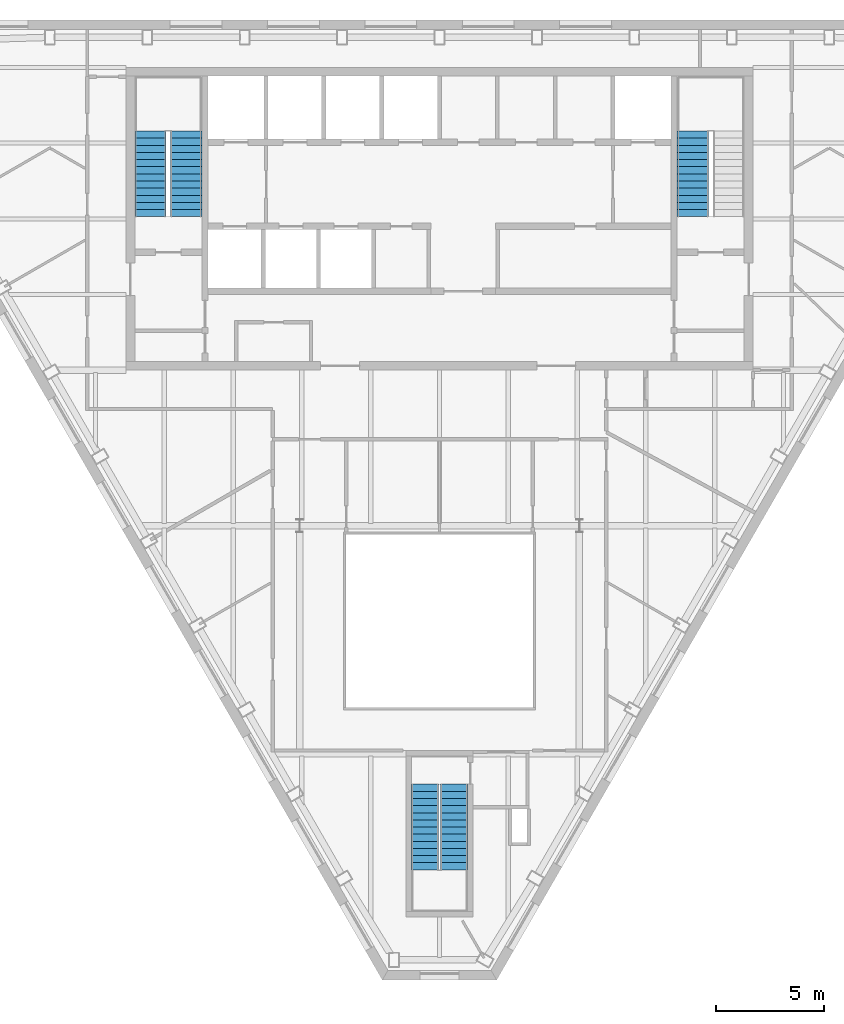
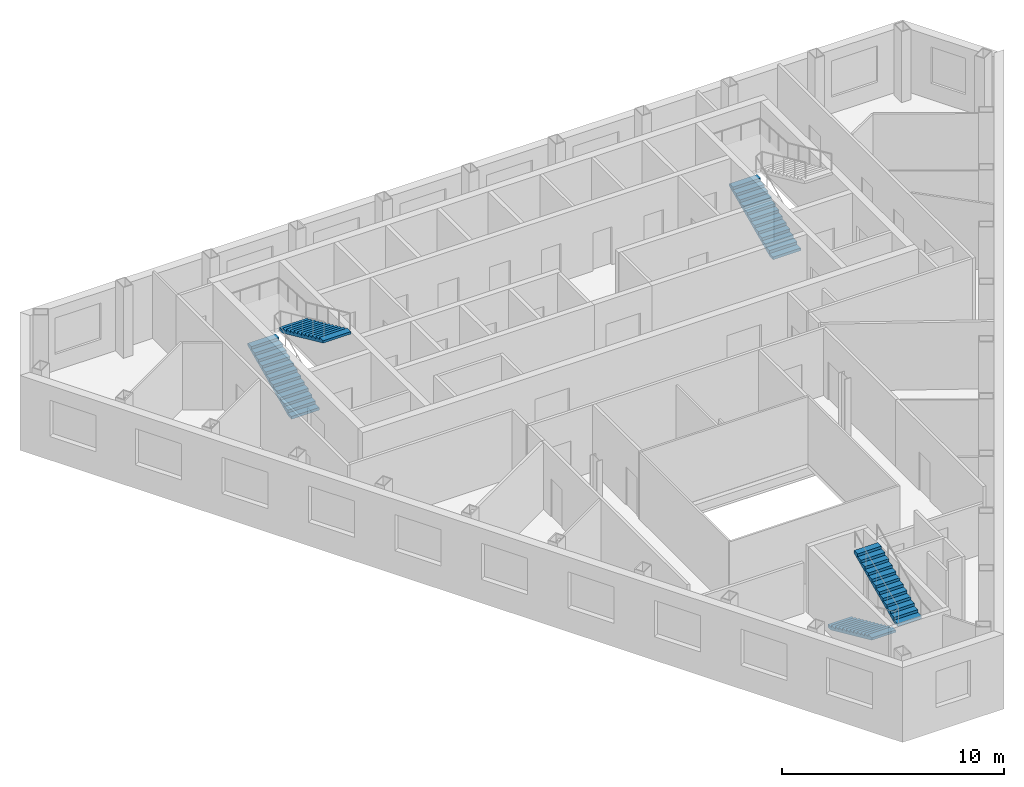
# One storey, part 8 of 10: 5 stair flights, 3 elements without a shape of their own.
"""IFC4 building model written with IfcOpenShell, lengths in metres."""

from ifc_helpers import new_model, si_unit, direction, frame, origin, place, context, subcontext, project, spatial, polygons, material, type_object, element, aggregate, save


model = new_model("IFC4")

# Units and contexts
model_context = context("Model", 3, precision=1e-05, world=origin(), true_north=direction((0.0, 1.0)))
body_context = subcontext(model_context, "Body", "Model", "MODEL_VIEW")
ifc_project = project(units=[si_unit("LENGTHUNIT", "METRE"), si_unit("AREAUNIT", "SQUARE_METRE"), si_unit("VOLUMEUNIT", "CUBIC_METRE"), si_unit("PLANEANGLEUNIT", "RADIAN"), si_unit("MASSUNIT", "GRAM", prefix="KILO")], contexts=[model_context])

# Site, building, storey
site_placement = place(None, origin())
site = spatial("IfcSite", under=ifc_project, at=site_placement, CompositionType="ELEMENT")
building_placement = place(site_placement, origin())
building = spatial("IfcBuilding", under=site, at=building_placement, Name="Njiva Tower", CompositionType="ELEMENT")
storey_placement = place(building_placement, frame((0.0, 0.0, 288.3)))
storey = spatial("IfcBuildingStorey", under=building, at=storey_placement, Name="L66", CompositionType="ELEMENT", Elevation=288.3)

# Stair, stair flights
ifc_material = material(Name="Concrete C40/50", Category="concrete")
stair_type_1 = type_object("IfcStairType", Name="ST1 Exit stair 1250", PredefinedType="HALF_TURN_STAIR", material=ifc_material)
stair_1_placement = place(storey_placement, origin())
stair_1 = element("IfcStair", 1, at=stair_1_placement, inside=storey, type_object=stair_type_1, Name="Stair C", PredefinedType="HALF_TURN_STAIR")
stair_flight_type_1 = type_object("IfcStairFlightType", Name="FL1 Stair flight 1250", PredefinedType="STRAIGHT", material=ifc_material)
stair_flight_1_placement = place(storey_placement, frame((-0.675, -15.16, 0.0), z_axis=(0.0, 0.0, 1.0), x_axis=(0.0, -1.0, 0.0)))
stair_flight_1 = element("IfcStairFlight", 2, at=stair_flight_1_placement, type_object=stair_flight_type_1, Name="ST-C flight 1", NumberOfRisers=13, NumberOfTreads=12, PredefinedType="STRAIGHT", RiserHeight=0.15, TreadLength=0.33, context=body_context, shape_type="Tessellation", body=[
    polygons([(0.0, 0.625, 0.0), (0.0, 0.3125, 0.0), (0.0, 0.0, 0.0), (0.0, -0.3125, 0.0), (0.0, -0.625, 0.0), (0.0, 0.625, 0.15), (0.0, 0.3125, 0.15), (0.0, 0.0, 0.15), (0.0, -0.3125, 0.15), (0.0, -0.625, 0.15), (0.33, 0.625, 0.15), (0.33, 0.3125, 0.15), (0.33, 0.0, 0.15), (0.33, -0.3125, 0.15), (0.33, -0.625, 0.15), (0.33, 0.625, 0.3), (0.33, 0.3125, 0.3), (0.33, 0.0, 0.3), (0.33, -0.3125, 0.3), (0.33, -0.625, 0.3), (0.66, 0.625, 0.3), (0.66, 0.3125, 0.3), (0.66, 0.0, 0.3), (0.66, -0.3125, 0.3), (0.66, -0.625, 0.3), (0.66, 0.625, 0.45), (0.66, 0.3125, 0.45), (0.66, 0.0, 0.45), (0.66, -0.3125, 0.45), (0.66, -0.625, 0.45), (0.99, 0.625, 0.45), (0.99, 0.3125, 0.45), (0.99, 0.0, 0.45), (0.99, -0.3125, 0.45), (0.99, -0.625, 0.45), (0.99, 0.625, 0.6), (0.99, 0.3125, 0.6), (0.99, 0.0, 0.6), (0.99, -0.3125, 0.6), (0.99, -0.625, 0.6), (1.32, 0.625, 0.6), (1.32, 0.3125, 0.6), (1.32, 0.0, 0.6), (1.32, -0.3125, 0.6), (1.32, -0.625, 0.6), (1.32, 0.625, 0.75), (1.32, 0.3125, 0.75), (1.32, 0.0, 0.75), (1.32, -0.3125, 0.75), (1.32, -0.625, 0.75), (1.65, 0.625, 0.75), (1.65, 0.3125, 0.75), (1.65, 0.0, 0.75), (1.65, -0.3125, 0.75), (1.65, -0.625, 0.75), (1.65, 0.625, 0.9), (1.65, 0.3125, 0.9), (1.65, 0.0, 0.9), (1.65, -0.3125, 0.9), (1.65, -0.625, 0.9), (1.98, 0.625, 0.9), (1.98, 0.3125, 0.9), (1.98, 0.0, 0.9), (1.98, -0.3125, 0.9), (1.98, -0.625, 0.9), (1.98, 0.625, 1.05), (1.98, 0.3125, 1.05), (1.98, 0.0, 1.05), (1.98, -0.3125, 1.05), (1.98, -0.625, 1.05), (2.31, 0.625, 1.05), (2.31, 0.3125, 1.05), (2.31, 0.0, 1.05), (2.31, -0.3125, 1.05), (2.31, -0.625, 1.05), (2.31, 0.625, 1.2), (2.31, 0.3125, 1.2), (2.31, 0.0, 1.2), (2.31, -0.3125, 1.2), (2.31, -0.625, 1.2), (2.64, 0.625, 1.2), (2.64, 0.3125, 1.2), (2.64, 0.0, 1.2), (2.64, -0.3125, 1.2), (2.64, -0.625, 1.2), (2.64, 0.625, 1.35), (2.64, 0.3125, 1.35), (2.64, 0.0, 1.35), (2.64, -0.3125, 1.35), (2.64, -0.625, 1.35), (2.97, 0.625, 1.35), (2.97, 0.3125, 1.35), (2.97, 0.0, 1.35), (2.97, -0.3125, 1.35), (2.97, -0.625, 1.35), (2.97, 0.625, 1.5), (2.97, 0.3125, 1.5), (2.97, 0.0, 1.5), (2.97, -0.3125, 1.5), (2.97, -0.625, 1.5), (3.3, 0.625, 1.5), (3.3, 0.3125, 1.5), (3.3, 0.0, 1.5), (3.3, -0.3125, 1.5), (3.3, -0.625, 1.5), (3.3, 0.625, 1.65), (3.3, 0.3125, 1.65), (3.3, 0.0, 1.65), (3.3, -0.3125, 1.65), (3.3, -0.625, 1.65), (3.63, 0.625, 1.65), (3.63, 0.3125, 1.65), (3.63, 0.0, 1.65), (3.63, -0.3125, 1.65), (3.63, -0.625, 1.65), (3.63, 0.625, 1.8), (3.63, 0.3125, 1.8), (3.63, 0.0, 1.8), (3.63, -0.3125, 1.8), (3.63, -0.625, 1.8), (3.96, 0.625, 1.8), (3.96, 0.3125, 1.8), (3.96, 0.0, 1.8), (3.96, -0.3125, 1.8), (3.96, -0.625, 1.8), (3.96, 0.625, 1.6682), (3.96, 0.3125, 1.6682), (3.96, 0.0, 1.6682), (3.96, -0.3125, 1.6682), (3.96, -0.625, 1.6682), (0.29, 0.625, 0.0), (0.29, 0.3125, 0.0), (0.29, 0.0, 0.0), (0.29, -0.3125, 0.0), (0.29, -0.625, 0.0)], [[[1, 6, 11, 16, 21, 26, 31, 36, 41, 46, 51, 56, 61, 66, 71, 76, 81, 86, 91, 96, 101, 106, 111, 116, 121, 126, 131]], [[135, 130, 125, 120, 115, 110, 105, 100, 95, 90, 85, 80, 75, 70, 65, 60, 55, 50, 45, 40, 35, 30, 25, 20, 15, 10, 5]], [[6, 1, 2, 7]], [[7, 2, 3, 8]], [[8, 3, 4, 9]], [[9, 4, 5, 10]], [[11, 6, 7, 12]], [[12, 7, 8, 13]], [[13, 8, 9, 14]], [[14, 9, 10, 15]], [[16, 11, 12, 17]], [[17, 12, 13, 18]], [[18, 13, 14, 19]], [[19, 14, 15, 20]], [[21, 16, 17, 22]], [[22, 17, 18, 23]], [[23, 18, 19, 24]], [[24, 19, 20, 25]], [[26, 21, 22, 27]], [[27, 22, 23, 28]], [[28, 23, 24, 29]], [[29, 24, 25, 30]], [[31, 26, 27, 32]], [[32, 27, 28, 33]], [[33, 28, 29, 34]], [[34, 29, 30, 35]], [[36, 31, 32, 37]], [[37, 32, 33, 38]], [[38, 33, 34, 39]], [[39, 34, 35, 40]], [[41, 36, 37, 42]], [[42, 37, 38, 43]], [[43, 38, 39, 44]], [[44, 39, 40, 45]], [[46, 41, 42, 47]], [[47, 42, 43, 48]], [[48, 43, 44, 49]], [[49, 44, 45, 50]], [[51, 46, 47, 52]], [[52, 47, 48, 53]], [[53, 48, 49, 54]], [[54, 49, 50, 55]], [[56, 51, 52, 57]], [[57, 52, 53, 58]], [[58, 53, 54, 59]], [[59, 54, 55, 60]], [[61, 56, 57, 62]], [[62, 57, 58, 63]], [[63, 58, 59, 64]], [[64, 59, 60, 65]], [[66, 61, 62, 67]], [[67, 62, 63, 68]], [[68, 63, 64, 69]], [[69, 64, 65, 70]], [[71, 66, 67, 72]], [[72, 67, 68, 73]], [[73, 68, 69, 74]], [[74, 69, 70, 75]], [[76, 71, 72, 77]], [[77, 72, 73, 78]], [[78, 73, 74, 79]], [[79, 74, 75, 80]], [[81, 76, 77, 82]], [[82, 77, 78, 83]], [[83, 78, 79, 84]], [[84, 79, 80, 85]], [[86, 81, 82, 87]], [[87, 82, 83, 88]], [[88, 83, 84, 89]], [[89, 84, 85, 90]], [[91, 86, 87, 92]], [[92, 87, 88, 93]], [[93, 88, 89, 94]], [[94, 89, 90, 95]], [[96, 91, 92, 97]], [[97, 92, 93, 98]], [[98, 93, 94, 99]], [[99, 94, 95, 100]], [[101, 96, 97, 102]], [[102, 97, 98, 103]], [[103, 98, 99, 104]], [[104, 99, 100, 105]], [[106, 101, 102, 107]], [[107, 102, 103, 108]], [[108, 103, 104, 109]], [[109, 104, 105, 110]], [[111, 106, 107, 112]], [[112, 107, 108, 113]], [[113, 108, 109, 114]], [[114, 109, 110, 115]], [[116, 111, 112, 117]], [[117, 112, 113, 118]], [[118, 113, 114, 119]], [[119, 114, 115, 120]], [[121, 116, 117, 122]], [[122, 117, 118, 123]], [[123, 118, 119, 124]], [[124, 119, 120, 125]], [[126, 121, 122, 127]], [[127, 122, 123, 128]], [[128, 123, 124, 129]], [[129, 124, 125, 130]], [[131, 126, 127, 132]], [[132, 127, 128, 133]], [[133, 128, 129, 134]], [[134, 129, 130, 135]], [[1, 131, 132, 2]], [[2, 132, 133, 3]], [[3, 133, 134, 4]], [[4, 134, 135, 5]]], closed=True),
])
stair_flight_2_placement = place(storey_placement, frame((0.675, -19.12, 1.95), z_axis=(0.0, 0.0, 1.0), x_axis=(0.0, 1.0, 0.0)))
stair_flight_2 = element("IfcStairFlight", 3, at=stair_flight_2_placement, type_object=stair_flight_type_1, Name="ST-C flight 2", NumberOfRisers=13, NumberOfTreads=12, PredefinedType="STRAIGHT", RiserHeight=0.15, TreadLength=0.33, context=body_context, shape_type="Tessellation", body=[
    polygons([(0.0, 0.625, 0.0), (0.0, 0.3125, 0.0), (0.0, 0.0, 0.0), (0.0, -0.3125, 0.0), (0.0, -0.625, 0.0), (0.0, 0.625, 0.15), (0.0, 0.3125, 0.15), (0.0, 0.0, 0.15), (0.0, -0.3125, 0.15), (0.0, -0.625, 0.15), (0.33, 0.625, 0.15), (0.33, 0.3125, 0.15), (0.33, 0.0, 0.15), (0.33, -0.3125, 0.15), (0.33, -0.625, 0.15), (0.33, 0.625, 0.3), (0.33, 0.3125, 0.3), (0.33, 0.0, 0.3), (0.33, -0.3125, 0.3), (0.33, -0.625, 0.3), (0.66, 0.625, 0.3), (0.66, 0.3125, 0.3), (0.66, 0.0, 0.3), (0.66, -0.3125, 0.3), (0.66, -0.625, 0.3), (0.66, 0.625, 0.45), (0.66, 0.3125, 0.45), (0.66, 0.0, 0.45), (0.66, -0.3125, 0.45), (0.66, -0.625, 0.45), (0.99, 0.625, 0.45), (0.99, 0.3125, 0.45), (0.99, 0.0, 0.45), (0.99, -0.3125, 0.45), (0.99, -0.625, 0.45), (0.99, 0.625, 0.6), (0.99, 0.3125, 0.6), (0.99, 0.0, 0.6), (0.99, -0.3125, 0.6), (0.99, -0.625, 0.6), (1.32, 0.625, 0.6), (1.32, 0.3125, 0.6), (1.32, 0.0, 0.6), (1.32, -0.3125, 0.6), (1.32, -0.625, 0.6), (1.32, 0.625, 0.75), (1.32, 0.3125, 0.75), (1.32, 0.0, 0.75), (1.32, -0.3125, 0.75), (1.32, -0.625, 0.75), (1.65, 0.625, 0.75), (1.65, 0.3125, 0.75), (1.65, 0.0, 0.75), (1.65, -0.3125, 0.75), (1.65, -0.625, 0.75), (1.65, 0.625, 0.9), (1.65, 0.3125, 0.9), (1.65, 0.0, 0.9), (1.65, -0.3125, 0.9), (1.65, -0.625, 0.9), (1.98, 0.625, 0.9), (1.98, 0.3125, 0.9), (1.98, 0.0, 0.9), (1.98, -0.3125, 0.9), (1.98, -0.625, 0.9), (1.98, 0.625, 1.05), (1.98, 0.3125, 1.05), (1.98, 0.0, 1.05), (1.98, -0.3125, 1.05), (1.98, -0.625, 1.05), (2.31, 0.625, 1.05), (2.31, 0.3125, 1.05), (2.31, 0.0, 1.05), (2.31, -0.3125, 1.05), (2.31, -0.625, 1.05), (2.31, 0.625, 1.2), (2.31, 0.3125, 1.2), (2.31, 0.0, 1.2), (2.31, -0.3125, 1.2), (2.31, -0.625, 1.2), (2.64, 0.625, 1.2), (2.64, 0.3125, 1.2), (2.64, 0.0, 1.2), (2.64, -0.3125, 1.2), (2.64, -0.625, 1.2), (2.64, 0.625, 1.35), (2.64, 0.3125, 1.35), (2.64, 0.0, 1.35), (2.64, -0.3125, 1.35), (2.64, -0.625, 1.35), (2.97, 0.625, 1.35), (2.97, 0.3125, 1.35), (2.97, 0.0, 1.35), (2.97, -0.3125, 1.35), (2.97, -0.625, 1.35), (2.97, 0.625, 1.5), (2.97, 0.3125, 1.5), (2.97, 0.0, 1.5), (2.97, -0.3125, 1.5), (2.97, -0.625, 1.5), (3.3, 0.625, 1.5), (3.3, 0.3125, 1.5), (3.3, 0.0, 1.5), (3.3, -0.3125, 1.5), (3.3, -0.625, 1.5), (3.3, 0.625, 1.65), (3.3, 0.3125, 1.65), (3.3, 0.0, 1.65), (3.3, -0.3125, 1.65), (3.3, -0.625, 1.65), (3.63, 0.625, 1.65), (3.63, 0.3125, 1.65), (3.63, 0.0, 1.65), (3.63, -0.3125, 1.65), (3.63, -0.625, 1.65), (3.63, 0.625, 1.8), (3.63, 0.3125, 1.8), (3.63, 0.0, 1.8), (3.63, -0.3125, 1.8), (3.63, -0.625, 1.8), (3.96, 0.625, 1.8), (3.96, 0.3125, 1.8), (3.96, 0.0, 1.8), (3.96, -0.3125, 1.8), (3.96, -0.625, 1.8), (3.96, 0.625, 1.6682), (3.96, 0.3125, 1.6682), (3.96, 0.0, 1.6682), (3.96, -0.3125, 1.6682), (3.96, -0.625, 1.6682), (0.29, 0.625, 0.0), (0.29, 0.3125, 0.0), (0.29, 0.0, 0.0), (0.29, -0.3125, 0.0), (0.29, -0.625, 0.0)], [[[1, 6, 11, 16, 21, 26, 31, 36, 41, 46, 51, 56, 61, 66, 71, 76, 81, 86, 91, 96, 101, 106, 111, 116, 121, 126, 131]], [[135, 130, 125, 120, 115, 110, 105, 100, 95, 90, 85, 80, 75, 70, 65, 60, 55, 50, 45, 40, 35, 30, 25, 20, 15, 10, 5]], [[6, 1, 2, 7]], [[7, 2, 3, 8]], [[8, 3, 4, 9]], [[9, 4, 5, 10]], [[11, 6, 7, 12]], [[12, 7, 8, 13]], [[13, 8, 9, 14]], [[14, 9, 10, 15]], [[16, 11, 12, 17]], [[17, 12, 13, 18]], [[18, 13, 14, 19]], [[19, 14, 15, 20]], [[21, 16, 17, 22]], [[22, 17, 18, 23]], [[23, 18, 19, 24]], [[24, 19, 20, 25]], [[26, 21, 22, 27]], [[27, 22, 23, 28]], [[28, 23, 24, 29]], [[29, 24, 25, 30]], [[31, 26, 27, 32]], [[32, 27, 28, 33]], [[33, 28, 29, 34]], [[34, 29, 30, 35]], [[36, 31, 32, 37]], [[37, 32, 33, 38]], [[38, 33, 34, 39]], [[39, 34, 35, 40]], [[41, 36, 37, 42]], [[42, 37, 38, 43]], [[43, 38, 39, 44]], [[44, 39, 40, 45]], [[46, 41, 42, 47]], [[47, 42, 43, 48]], [[48, 43, 44, 49]], [[49, 44, 45, 50]], [[51, 46, 47, 52]], [[52, 47, 48, 53]], [[53, 48, 49, 54]], [[54, 49, 50, 55]], [[56, 51, 52, 57]], [[57, 52, 53, 58]], [[58, 53, 54, 59]], [[59, 54, 55, 60]], [[61, 56, 57, 62]], [[62, 57, 58, 63]], [[63, 58, 59, 64]], [[64, 59, 60, 65]], [[66, 61, 62, 67]], [[67, 62, 63, 68]], [[68, 63, 64, 69]], [[69, 64, 65, 70]], [[71, 66, 67, 72]], [[72, 67, 68, 73]], [[73, 68, 69, 74]], [[74, 69, 70, 75]], [[76, 71, 72, 77]], [[77, 72, 73, 78]], [[78, 73, 74, 79]], [[79, 74, 75, 80]], [[81, 76, 77, 82]], [[82, 77, 78, 83]], [[83, 78, 79, 84]], [[84, 79, 80, 85]], [[86, 81, 82, 87]], [[87, 82, 83, 88]], [[88, 83, 84, 89]], [[89, 84, 85, 90]], [[91, 86, 87, 92]], [[92, 87, 88, 93]], [[93, 88, 89, 94]], [[94, 89, 90, 95]], [[96, 91, 92, 97]], [[97, 92, 93, 98]], [[98, 93, 94, 99]], [[99, 94, 95, 100]], [[101, 96, 97, 102]], [[102, 97, 98, 103]], [[103, 98, 99, 104]], [[104, 99, 100, 105]], [[106, 101, 102, 107]], [[107, 102, 103, 108]], [[108, 103, 104, 109]], [[109, 104, 105, 110]], [[111, 106, 107, 112]], [[112, 107, 108, 113]], [[113, 108, 109, 114]], [[114, 109, 110, 115]], [[116, 111, 112, 117]], [[117, 112, 113, 118]], [[118, 113, 114, 119]], [[119, 114, 115, 120]], [[121, 116, 117, 122]], [[122, 117, 118, 123]], [[123, 118, 119, 124]], [[124, 119, 120, 125]], [[126, 121, 122, 127]], [[127, 122, 123, 128]], [[128, 123, 124, 129]], [[129, 124, 125, 130]], [[131, 126, 127, 132]], [[132, 127, 128, 133]], [[133, 128, 129, 134]], [[134, 129, 130, 135]], [[1, 131, 132, 2]], [[2, 132, 133, 3]], [[3, 133, 134, 4]], [[4, 134, 135, 5]]], closed=True),
])
aggregate(stair_1, [stair_flight_1, stair_flight_2])

stair_type_2 = type_object("IfcStairType", Name="ST3 Exit stair 1450", PredefinedType="HALF_TURN_STAIR", material=ifc_material)
stair_2_placement = place(storey_placement, origin())
stair_2 = element("IfcStair", 4, at=stair_2_placement, inside=storey, type_object=stair_type_2, Name="Stair A", PredefinedType="HALF_TURN_STAIR")
stair_flight_type_2 = type_object("IfcStairFlightType", Name="FL3 Stair flight 1450", PredefinedType="STRAIGHT", material=ifc_material)
stair_flight_3_placement = place(storey_placement, frame((-13.375, 11.1, 0.0), z_axis=(0.0, 0.0, 1.0), x_axis=(0.0, 1.0, 0.0)))
stair_flight_3 = element("IfcStairFlight", 5, at=stair_flight_3_placement, type_object=stair_flight_type_2, Name="ST-A flight 1", NumberOfRisers=13, NumberOfTreads=12, PredefinedType="STRAIGHT", RiserHeight=0.15, TreadLength=0.33, context=body_context, shape_type="Tessellation", body=[
    polygons([(0.0, 0.725, 0.0), (0.0, 0.3625, 0.0), (0.0, 0.0, 0.0), (0.0, -0.3625, 0.0), (0.0, -0.725, 0.0), (0.0, 0.725, 0.15), (0.0, 0.3625, 0.15), (0.0, 0.0, 0.15), (0.0, -0.3625, 0.15), (0.0, -0.725, 0.15), (0.33, 0.725, 0.15), (0.33, 0.3625, 0.15), (0.33, 0.0, 0.15), (0.33, -0.3625, 0.15), (0.33, -0.725, 0.15), (0.33, 0.725, 0.3), (0.33, 0.3625, 0.3), (0.33, 0.0, 0.3), (0.33, -0.3625, 0.3), (0.33, -0.725, 0.3), (0.66, 0.725, 0.3), (0.66, 0.3625, 0.3), (0.66, 0.0, 0.3), (0.66, -0.3625, 0.3), (0.66, -0.725, 0.3), (0.66, 0.725, 0.45), (0.66, 0.3625, 0.45), (0.66, 0.0, 0.45), (0.66, -0.3625, 0.45), (0.66, -0.725, 0.45), (0.99, 0.725, 0.45), (0.99, 0.3625, 0.45), (0.99, 0.0, 0.45), (0.99, -0.3625, 0.45), (0.99, -0.725, 0.45), (0.99, 0.725, 0.6), (0.99, 0.3625, 0.6), (0.99, 0.0, 0.6), (0.99, -0.3625, 0.6), (0.99, -0.725, 0.6), (1.32, 0.725, 0.6), (1.32, 0.3625, 0.6), (1.32, 0.0, 0.6), (1.32, -0.3625, 0.6), (1.32, -0.725, 0.6), (1.32, 0.725, 0.75), (1.32, 0.3625, 0.75), (1.32, 0.0, 0.75), (1.32, -0.3625, 0.75), (1.32, -0.725, 0.75), (1.65, 0.725, 0.75), (1.65, 0.3625, 0.75), (1.65, 0.0, 0.75), (1.65, -0.3625, 0.75), (1.65, -0.725, 0.75), (1.65, 0.725, 0.9), (1.65, 0.3625, 0.9), (1.65, 0.0, 0.9), (1.65, -0.3625, 0.9), (1.65, -0.725, 0.9), (1.98, 0.725, 0.9), (1.98, 0.3625, 0.9), (1.98, 0.0, 0.9), (1.98, -0.3625, 0.9), (1.98, -0.725, 0.9), (1.98, 0.725, 1.05), (1.98, 0.3625, 1.05), (1.98, 0.0, 1.05), (1.98, -0.3625, 1.05), (1.98, -0.725, 1.05), (2.31, 0.725, 1.05), (2.31, 0.3625, 1.05), (2.31, 0.0, 1.05), (2.31, -0.3625, 1.05), (2.31, -0.725, 1.05), (2.31, 0.725, 1.2), (2.31, 0.3625, 1.2), (2.31, 0.0, 1.2), (2.31, -0.3625, 1.2), (2.31, -0.725, 1.2), (2.64, 0.725, 1.2), (2.64, 0.3625, 1.2), (2.64, 0.0, 1.2), (2.64, -0.3625, 1.2), (2.64, -0.725, 1.2), (2.64, 0.725, 1.35), (2.64, 0.3625, 1.35), (2.64, 0.0, 1.35), (2.64, -0.3625, 1.35), (2.64, -0.725, 1.35), (2.97, 0.725, 1.35), (2.97, 0.3625, 1.35), (2.97, 0.0, 1.35), (2.97, -0.3625, 1.35), (2.97, -0.725, 1.35), (2.97, 0.725, 1.5), (2.97, 0.3625, 1.5), (2.97, 0.0, 1.5), (2.97, -0.3625, 1.5), (2.97, -0.725, 1.5), (3.3, 0.725, 1.5), (3.3, 0.3625, 1.5), (3.3, 0.0, 1.5), (3.3, -0.3625, 1.5), (3.3, -0.725, 1.5), (3.3, 0.725, 1.65), (3.3, 0.3625, 1.65), (3.3, 0.0, 1.65), (3.3, -0.3625, 1.65), (3.3, -0.725, 1.65), (3.63, 0.725, 1.65), (3.63, 0.3625, 1.65), (3.63, 0.0, 1.65), (3.63, -0.3625, 1.65), (3.63, -0.725, 1.65), (3.63, 0.725, 1.8), (3.63, 0.3625, 1.8), (3.63, 0.0, 1.8), (3.63, -0.3625, 1.8), (3.63, -0.725, 1.8), (3.96, 0.725, 1.8), (3.96, 0.3625, 1.8), (3.96, 0.0, 1.8), (3.96, -0.3625, 1.8), (3.96, -0.725, 1.8), (3.96, 0.725, 1.6682), (3.96, 0.3625, 1.6682), (3.96, 0.0, 1.6682), (3.96, -0.3625, 1.6682), (3.96, -0.725, 1.6682), (0.29, 0.725, 0.0), (0.29, 0.3625, 0.0), (0.29, 0.0, 0.0), (0.29, -0.3625, 0.0), (0.29, -0.725, 0.0)], [[[1, 6, 11, 16, 21, 26, 31, 36, 41, 46, 51, 56, 61, 66, 71, 76, 81, 86, 91, 96, 101, 106, 111, 116, 121, 126, 131]], [[135, 130, 125, 120, 115, 110, 105, 100, 95, 90, 85, 80, 75, 70, 65, 60, 55, 50, 45, 40, 35, 30, 25, 20, 15, 10, 5]], [[6, 1, 2, 7]], [[7, 2, 3, 8]], [[8, 3, 4, 9]], [[9, 4, 5, 10]], [[11, 6, 7, 12]], [[12, 7, 8, 13]], [[13, 8, 9, 14]], [[14, 9, 10, 15]], [[16, 11, 12, 17]], [[17, 12, 13, 18]], [[18, 13, 14, 19]], [[19, 14, 15, 20]], [[21, 16, 17, 22]], [[22, 17, 18, 23]], [[23, 18, 19, 24]], [[24, 19, 20, 25]], [[26, 21, 22, 27]], [[27, 22, 23, 28]], [[28, 23, 24, 29]], [[29, 24, 25, 30]], [[31, 26, 27, 32]], [[32, 27, 28, 33]], [[33, 28, 29, 34]], [[34, 29, 30, 35]], [[36, 31, 32, 37]], [[37, 32, 33, 38]], [[38, 33, 34, 39]], [[39, 34, 35, 40]], [[41, 36, 37, 42]], [[42, 37, 38, 43]], [[43, 38, 39, 44]], [[44, 39, 40, 45]], [[46, 41, 42, 47]], [[47, 42, 43, 48]], [[48, 43, 44, 49]], [[49, 44, 45, 50]], [[51, 46, 47, 52]], [[52, 47, 48, 53]], [[53, 48, 49, 54]], [[54, 49, 50, 55]], [[56, 51, 52, 57]], [[57, 52, 53, 58]], [[58, 53, 54, 59]], [[59, 54, 55, 60]], [[61, 56, 57, 62]], [[62, 57, 58, 63]], [[63, 58, 59, 64]], [[64, 59, 60, 65]], [[66, 61, 62, 67]], [[67, 62, 63, 68]], [[68, 63, 64, 69]], [[69, 64, 65, 70]], [[71, 66, 67, 72]], [[72, 67, 68, 73]], [[73, 68, 69, 74]], [[74, 69, 70, 75]], [[76, 71, 72, 77]], [[77, 72, 73, 78]], [[78, 73, 74, 79]], [[79, 74, 75, 80]], [[81, 76, 77, 82]], [[82, 77, 78, 83]], [[83, 78, 79, 84]], [[84, 79, 80, 85]], [[86, 81, 82, 87]], [[87, 82, 83, 88]], [[88, 83, 84, 89]], [[89, 84, 85, 90]], [[91, 86, 87, 92]], [[92, 87, 88, 93]], [[93, 88, 89, 94]], [[94, 89, 90, 95]], [[96, 91, 92, 97]], [[97, 92, 93, 98]], [[98, 93, 94, 99]], [[99, 94, 95, 100]], [[101, 96, 97, 102]], [[102, 97, 98, 103]], [[103, 98, 99, 104]], [[104, 99, 100, 105]], [[106, 101, 102, 107]], [[107, 102, 103, 108]], [[108, 103, 104, 109]], [[109, 104, 105, 110]], [[111, 106, 107, 112]], [[112, 107, 108, 113]], [[113, 108, 109, 114]], [[114, 109, 110, 115]], [[116, 111, 112, 117]], [[117, 112, 113, 118]], [[118, 113, 114, 119]], [[119, 114, 115, 120]], [[121, 116, 117, 122]], [[122, 117, 118, 123]], [[123, 118, 119, 124]], [[124, 119, 120, 125]], [[126, 121, 122, 127]], [[127, 122, 123, 128]], [[128, 123, 124, 129]], [[129, 124, 125, 130]], [[131, 126, 127, 132]], [[132, 127, 128, 133]], [[133, 128, 129, 134]], [[134, 129, 130, 135]], [[1, 131, 132, 2]], [[2, 132, 133, 3]], [[3, 133, 134, 4]], [[4, 134, 135, 5]]], closed=True),
])
stair_flight_4_placement = place(storey_placement, frame((-11.725, 15.06, 1.95), z_axis=(0.0, 0.0, 1.0), x_axis=(0.0, -1.0, 0.0)))
stair_flight_4 = element("IfcStairFlight", 6, at=stair_flight_4_placement, type_object=stair_flight_type_2, Name="ST-A flight 2", NumberOfRisers=13, NumberOfTreads=12, PredefinedType="STRAIGHT", RiserHeight=0.15, TreadLength=0.33, context=body_context, shape_type="Tessellation", body=[
    polygons([(0.0, 0.725, 0.0), (0.0, 0.3625, 0.0), (0.0, 0.0, 0.0), (0.0, -0.3625, 0.0), (0.0, -0.725, 0.0), (0.0, 0.725, 0.15), (0.0, 0.3625, 0.15), (0.0, 0.0, 0.15), (0.0, -0.3625, 0.15), (0.0, -0.725, 0.15), (0.33, 0.725, 0.15), (0.33, 0.3625, 0.15), (0.33, 0.0, 0.15), (0.33, -0.3625, 0.15), (0.33, -0.725, 0.15), (0.33, 0.725, 0.3), (0.33, 0.3625, 0.3), (0.33, 0.0, 0.3), (0.33, -0.3625, 0.3), (0.33, -0.725, 0.3), (0.66, 0.725, 0.3), (0.66, 0.3625, 0.3), (0.66, 0.0, 0.3), (0.66, -0.3625, 0.3), (0.66, -0.725, 0.3), (0.66, 0.725, 0.45), (0.66, 0.3625, 0.45), (0.66, 0.0, 0.45), (0.66, -0.3625, 0.45), (0.66, -0.725, 0.45), (0.99, 0.725, 0.45), (0.99, 0.3625, 0.45), (0.99, 0.0, 0.45), (0.99, -0.3625, 0.45), (0.99, -0.725, 0.45), (0.99, 0.725, 0.6), (0.99, 0.3625, 0.6), (0.99, 0.0, 0.6), (0.99, -0.3625, 0.6), (0.99, -0.725, 0.6), (1.32, 0.725, 0.6), (1.32, 0.3625, 0.6), (1.32, 0.0, 0.6), (1.32, -0.3625, 0.6), (1.32, -0.725, 0.6), (1.32, 0.725, 0.75), (1.32, 0.3625, 0.75), (1.32, 0.0, 0.75), (1.32, -0.3625, 0.75), (1.32, -0.725, 0.75), (1.65, 0.725, 0.75), (1.65, 0.3625, 0.75), (1.65, 0.0, 0.75), (1.65, -0.3625, 0.75), (1.65, -0.725, 0.75), (1.65, 0.725, 0.9), (1.65, 0.3625, 0.9), (1.65, 0.0, 0.9), (1.65, -0.3625, 0.9), (1.65, -0.725, 0.9), (1.98, 0.725, 0.9), (1.98, 0.3625, 0.9), (1.98, 0.0, 0.9), (1.98, -0.3625, 0.9), (1.98, -0.725, 0.9), (1.98, 0.725, 1.05), (1.98, 0.3625, 1.05), (1.98, 0.0, 1.05), (1.98, -0.3625, 1.05), (1.98, -0.725, 1.05), (2.31, 0.725, 1.05), (2.31, 0.3625, 1.05), (2.31, 0.0, 1.05), (2.31, -0.3625, 1.05), (2.31, -0.725, 1.05), (2.31, 0.725, 1.2), (2.31, 0.3625, 1.2), (2.31, 0.0, 1.2), (2.31, -0.3625, 1.2), (2.31, -0.725, 1.2), (2.64, 0.725, 1.2), (2.64, 0.3625, 1.2), (2.64, 0.0, 1.2), (2.64, -0.3625, 1.2), (2.64, -0.725, 1.2), (2.64, 0.725, 1.35), (2.64, 0.3625, 1.35), (2.64, 0.0, 1.35), (2.64, -0.3625, 1.35), (2.64, -0.725, 1.35), (2.97, 0.725, 1.35), (2.97, 0.3625, 1.35), (2.97, 0.0, 1.35), (2.97, -0.3625, 1.35), (2.97, -0.725, 1.35), (2.97, 0.725, 1.5), (2.97, 0.3625, 1.5), (2.97, 0.0, 1.5), (2.97, -0.3625, 1.5), (2.97, -0.725, 1.5), (3.3, 0.725, 1.5), (3.3, 0.3625, 1.5), (3.3, 0.0, 1.5), (3.3, -0.3625, 1.5), (3.3, -0.725, 1.5), (3.3, 0.725, 1.65), (3.3, 0.3625, 1.65), (3.3, 0.0, 1.65), (3.3, -0.3625, 1.65), (3.3, -0.725, 1.65), (3.63, 0.725, 1.65), (3.63, 0.3625, 1.65), (3.63, 0.0, 1.65), (3.63, -0.3625, 1.65), (3.63, -0.725, 1.65), (3.63, 0.725, 1.8), (3.63, 0.3625, 1.8), (3.63, 0.0, 1.8), (3.63, -0.3625, 1.8), (3.63, -0.725, 1.8), (3.96, 0.725, 1.8), (3.96, 0.3625, 1.8), (3.96, 0.0, 1.8), (3.96, -0.3625, 1.8), (3.96, -0.725, 1.8), (3.96, 0.725, 1.6682), (3.96, 0.3625, 1.6682), (3.96, 0.0, 1.6682), (3.96, -0.3625, 1.6682), (3.96, -0.725, 1.6682), (0.29, 0.725, 0.0), (0.29, 0.3625, 0.0), (0.29, 0.0, 0.0), (0.29, -0.3625, 0.0), (0.29, -0.725, 0.0)], [[[1, 6, 11, 16, 21, 26, 31, 36, 41, 46, 51, 56, 61, 66, 71, 76, 81, 86, 91, 96, 101, 106, 111, 116, 121, 126, 131]], [[135, 130, 125, 120, 115, 110, 105, 100, 95, 90, 85, 80, 75, 70, 65, 60, 55, 50, 45, 40, 35, 30, 25, 20, 15, 10, 5]], [[6, 1, 2, 7]], [[7, 2, 3, 8]], [[8, 3, 4, 9]], [[9, 4, 5, 10]], [[11, 6, 7, 12]], [[12, 7, 8, 13]], [[13, 8, 9, 14]], [[14, 9, 10, 15]], [[16, 11, 12, 17]], [[17, 12, 13, 18]], [[18, 13, 14, 19]], [[19, 14, 15, 20]], [[21, 16, 17, 22]], [[22, 17, 18, 23]], [[23, 18, 19, 24]], [[24, 19, 20, 25]], [[26, 21, 22, 27]], [[27, 22, 23, 28]], [[28, 23, 24, 29]], [[29, 24, 25, 30]], [[31, 26, 27, 32]], [[32, 27, 28, 33]], [[33, 28, 29, 34]], [[34, 29, 30, 35]], [[36, 31, 32, 37]], [[37, 32, 33, 38]], [[38, 33, 34, 39]], [[39, 34, 35, 40]], [[41, 36, 37, 42]], [[42, 37, 38, 43]], [[43, 38, 39, 44]], [[44, 39, 40, 45]], [[46, 41, 42, 47]], [[47, 42, 43, 48]], [[48, 43, 44, 49]], [[49, 44, 45, 50]], [[51, 46, 47, 52]], [[52, 47, 48, 53]], [[53, 48, 49, 54]], [[54, 49, 50, 55]], [[56, 51, 52, 57]], [[57, 52, 53, 58]], [[58, 53, 54, 59]], [[59, 54, 55, 60]], [[61, 56, 57, 62]], [[62, 57, 58, 63]], [[63, 58, 59, 64]], [[64, 59, 60, 65]], [[66, 61, 62, 67]], [[67, 62, 63, 68]], [[68, 63, 64, 69]], [[69, 64, 65, 70]], [[71, 66, 67, 72]], [[72, 67, 68, 73]], [[73, 68, 69, 74]], [[74, 69, 70, 75]], [[76, 71, 72, 77]], [[77, 72, 73, 78]], [[78, 73, 74, 79]], [[79, 74, 75, 80]], [[81, 76, 77, 82]], [[82, 77, 78, 83]], [[83, 78, 79, 84]], [[84, 79, 80, 85]], [[86, 81, 82, 87]], [[87, 82, 83, 88]], [[88, 83, 84, 89]], [[89, 84, 85, 90]], [[91, 86, 87, 92]], [[92, 87, 88, 93]], [[93, 88, 89, 94]], [[94, 89, 90, 95]], [[96, 91, 92, 97]], [[97, 92, 93, 98]], [[98, 93, 94, 99]], [[99, 94, 95, 100]], [[101, 96, 97, 102]], [[102, 97, 98, 103]], [[103, 98, 99, 104]], [[104, 99, 100, 105]], [[106, 101, 102, 107]], [[107, 102, 103, 108]], [[108, 103, 104, 109]], [[109, 104, 105, 110]], [[111, 106, 107, 112]], [[112, 107, 108, 113]], [[113, 108, 109, 114]], [[114, 109, 110, 115]], [[116, 111, 112, 117]], [[117, 112, 113, 118]], [[118, 113, 114, 119]], [[119, 114, 115, 120]], [[121, 116, 117, 122]], [[122, 117, 118, 123]], [[123, 118, 119, 124]], [[124, 119, 120, 125]], [[126, 121, 122, 127]], [[127, 122, 123, 128]], [[128, 123, 124, 129]], [[129, 124, 125, 130]], [[131, 126, 127, 132]], [[132, 127, 128, 133]], [[133, 128, 129, 134]], [[134, 129, 130, 135]], [[1, 131, 132, 2]], [[2, 132, 133, 3]], [[3, 133, 134, 4]], [[4, 134, 135, 5]]], closed=True),
])
aggregate(stair_2, [stair_flight_3, stair_flight_4])

# Stair, stair flight
stair_3_placement = place(storey_placement, origin())
stair_3 = element("IfcStair", 7, at=stair_3_placement, inside=storey, type_object=stair_type_2, Name="Stair B", PredefinedType="HALF_TURN_STAIR")
stair_flight_5_placement = place(storey_placement, frame((11.725, 11.1, 0.0), z_axis=(0.0, 0.0, 1.0), x_axis=(0.0, 1.0, 0.0)))
stair_flight_5 = element("IfcStairFlight", 8, at=stair_flight_5_placement, type_object=stair_flight_type_2, Name="ST-B flight 1", NumberOfRisers=13, NumberOfTreads=12, PredefinedType="STRAIGHT", RiserHeight=0.15, TreadLength=0.33, context=body_context, shape_type="Tessellation", body=[
    polygons([(0.0, 0.725, 0.0), (0.0, 0.3625, 0.0), (0.0, 0.0, 0.0), (0.0, -0.3625, 0.0), (0.0, -0.725, 0.0), (0.0, 0.725, 0.15), (0.0, 0.3625, 0.15), (0.0, 0.0, 0.15), (0.0, -0.3625, 0.15), (0.0, -0.725, 0.15), (0.33, 0.725, 0.15), (0.33, 0.3625, 0.15), (0.33, 0.0, 0.15), (0.33, -0.3625, 0.15), (0.33, -0.725, 0.15), (0.33, 0.725, 0.3), (0.33, 0.3625, 0.3), (0.33, 0.0, 0.3), (0.33, -0.3625, 0.3), (0.33, -0.725, 0.3), (0.66, 0.725, 0.3), (0.66, 0.3625, 0.3), (0.66, 0.0, 0.3), (0.66, -0.3625, 0.3), (0.66, -0.725, 0.3), (0.66, 0.725, 0.45), (0.66, 0.3625, 0.45), (0.66, 0.0, 0.45), (0.66, -0.3625, 0.45), (0.66, -0.725, 0.45), (0.99, 0.725, 0.45), (0.99, 0.3625, 0.45), (0.99, 0.0, 0.45), (0.99, -0.3625, 0.45), (0.99, -0.725, 0.45), (0.99, 0.725, 0.6), (0.99, 0.3625, 0.6), (0.99, 0.0, 0.6), (0.99, -0.3625, 0.6), (0.99, -0.725, 0.6), (1.32, 0.725, 0.6), (1.32, 0.3625, 0.6), (1.32, 0.0, 0.6), (1.32, -0.3625, 0.6), (1.32, -0.725, 0.6), (1.32, 0.725, 0.75), (1.32, 0.3625, 0.75), (1.32, 0.0, 0.75), (1.32, -0.3625, 0.75), (1.32, -0.725, 0.75), (1.65, 0.725, 0.75), (1.65, 0.3625, 0.75), (1.65, 0.0, 0.75), (1.65, -0.3625, 0.75), (1.65, -0.725, 0.75), (1.65, 0.725, 0.9), (1.65, 0.3625, 0.9), (1.65, 0.0, 0.9), (1.65, -0.3625, 0.9), (1.65, -0.725, 0.9), (1.98, 0.725, 0.9), (1.98, 0.3625, 0.9), (1.98, 0.0, 0.9), (1.98, -0.3625, 0.9), (1.98, -0.725, 0.9), (1.98, 0.725, 1.05), (1.98, 0.3625, 1.05), (1.98, 0.0, 1.05), (1.98, -0.3625, 1.05), (1.98, -0.725, 1.05), (2.31, 0.725, 1.05), (2.31, 0.3625, 1.05), (2.31, 0.0, 1.05), (2.31, -0.3625, 1.05), (2.31, -0.725, 1.05), (2.31, 0.725, 1.2), (2.31, 0.3625, 1.2), (2.31, 0.0, 1.2), (2.31, -0.3625, 1.2), (2.31, -0.725, 1.2), (2.64, 0.725, 1.2), (2.64, 0.3625, 1.2), (2.64, 0.0, 1.2), (2.64, -0.3625, 1.2), (2.64, -0.725, 1.2), (2.64, 0.725, 1.35), (2.64, 0.3625, 1.35), (2.64, 0.0, 1.35), (2.64, -0.3625, 1.35), (2.64, -0.725, 1.35), (2.97, 0.725, 1.35), (2.97, 0.3625, 1.35), (2.97, 0.0, 1.35), (2.97, -0.3625, 1.35), (2.97, -0.725, 1.35), (2.97, 0.725, 1.5), (2.97, 0.3625, 1.5), (2.97, 0.0, 1.5), (2.97, -0.3625, 1.5), (2.97, -0.725, 1.5), (3.3, 0.725, 1.5), (3.3, 0.3625, 1.5), (3.3, 0.0, 1.5), (3.3, -0.3625, 1.5), (3.3, -0.725, 1.5), (3.3, 0.725, 1.65), (3.3, 0.3625, 1.65), (3.3, 0.0, 1.65), (3.3, -0.3625, 1.65), (3.3, -0.725, 1.65), (3.63, 0.725, 1.65), (3.63, 0.3625, 1.65), (3.63, 0.0, 1.65), (3.63, -0.3625, 1.65), (3.63, -0.725, 1.65), (3.63, 0.725, 1.8), (3.63, 0.3625, 1.8), (3.63, 0.0, 1.8), (3.63, -0.3625, 1.8), (3.63, -0.725, 1.8), (3.96, 0.725, 1.8), (3.96, 0.3625, 1.8), (3.96, 0.0, 1.8), (3.96, -0.3625, 1.8), (3.96, -0.725, 1.8), (3.96, 0.725, 1.6682), (3.96, 0.3625, 1.6682), (3.96, 0.0, 1.6682), (3.96, -0.3625, 1.6682), (3.96, -0.725, 1.6682), (0.29, 0.725, 0.0), (0.29, 0.3625, 0.0), (0.29, 0.0, 0.0), (0.29, -0.3625, 0.0), (0.29, -0.725, 0.0)], [[[1, 6, 11, 16, 21, 26, 31, 36, 41, 46, 51, 56, 61, 66, 71, 76, 81, 86, 91, 96, 101, 106, 111, 116, 121, 126, 131]], [[135, 130, 125, 120, 115, 110, 105, 100, 95, 90, 85, 80, 75, 70, 65, 60, 55, 50, 45, 40, 35, 30, 25, 20, 15, 10, 5]], [[6, 1, 2, 7]], [[7, 2, 3, 8]], [[8, 3, 4, 9]], [[9, 4, 5, 10]], [[11, 6, 7, 12]], [[12, 7, 8, 13]], [[13, 8, 9, 14]], [[14, 9, 10, 15]], [[16, 11, 12, 17]], [[17, 12, 13, 18]], [[18, 13, 14, 19]], [[19, 14, 15, 20]], [[21, 16, 17, 22]], [[22, 17, 18, 23]], [[23, 18, 19, 24]], [[24, 19, 20, 25]], [[26, 21, 22, 27]], [[27, 22, 23, 28]], [[28, 23, 24, 29]], [[29, 24, 25, 30]], [[31, 26, 27, 32]], [[32, 27, 28, 33]], [[33, 28, 29, 34]], [[34, 29, 30, 35]], [[36, 31, 32, 37]], [[37, 32, 33, 38]], [[38, 33, 34, 39]], [[39, 34, 35, 40]], [[41, 36, 37, 42]], [[42, 37, 38, 43]], [[43, 38, 39, 44]], [[44, 39, 40, 45]], [[46, 41, 42, 47]], [[47, 42, 43, 48]], [[48, 43, 44, 49]], [[49, 44, 45, 50]], [[51, 46, 47, 52]], [[52, 47, 48, 53]], [[53, 48, 49, 54]], [[54, 49, 50, 55]], [[56, 51, 52, 57]], [[57, 52, 53, 58]], [[58, 53, 54, 59]], [[59, 54, 55, 60]], [[61, 56, 57, 62]], [[62, 57, 58, 63]], [[63, 58, 59, 64]], [[64, 59, 60, 65]], [[66, 61, 62, 67]], [[67, 62, 63, 68]], [[68, 63, 64, 69]], [[69, 64, 65, 70]], [[71, 66, 67, 72]], [[72, 67, 68, 73]], [[73, 68, 69, 74]], [[74, 69, 70, 75]], [[76, 71, 72, 77]], [[77, 72, 73, 78]], [[78, 73, 74, 79]], [[79, 74, 75, 80]], [[81, 76, 77, 82]], [[82, 77, 78, 83]], [[83, 78, 79, 84]], [[84, 79, 80, 85]], [[86, 81, 82, 87]], [[87, 82, 83, 88]], [[88, 83, 84, 89]], [[89, 84, 85, 90]], [[91, 86, 87, 92]], [[92, 87, 88, 93]], [[93, 88, 89, 94]], [[94, 89, 90, 95]], [[96, 91, 92, 97]], [[97, 92, 93, 98]], [[98, 93, 94, 99]], [[99, 94, 95, 100]], [[101, 96, 97, 102]], [[102, 97, 98, 103]], [[103, 98, 99, 104]], [[104, 99, 100, 105]], [[106, 101, 102, 107]], [[107, 102, 103, 108]], [[108, 103, 104, 109]], [[109, 104, 105, 110]], [[111, 106, 107, 112]], [[112, 107, 108, 113]], [[113, 108, 109, 114]], [[114, 109, 110, 115]], [[116, 111, 112, 117]], [[117, 112, 113, 118]], [[118, 113, 114, 119]], [[119, 114, 115, 120]], [[121, 116, 117, 122]], [[122, 117, 118, 123]], [[123, 118, 119, 124]], [[124, 119, 120, 125]], [[126, 121, 122, 127]], [[127, 122, 123, 128]], [[128, 123, 124, 129]], [[129, 124, 125, 130]], [[131, 126, 127, 132]], [[132, 127, 128, 133]], [[133, 128, 129, 134]], [[134, 129, 130, 135]], [[1, 131, 132, 2]], [[2, 132, 133, 3]], [[3, 133, 134, 4]], [[4, 134, 135, 5]]], closed=True),
])
aggregate(stair_3, [stair_flight_5])

save(model, "model.ifc")
